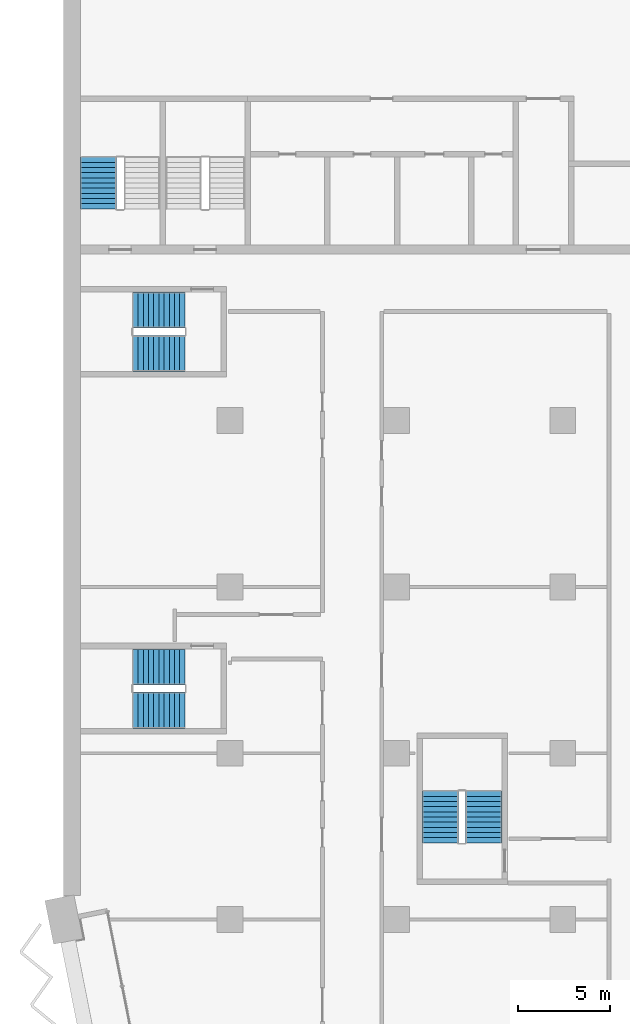
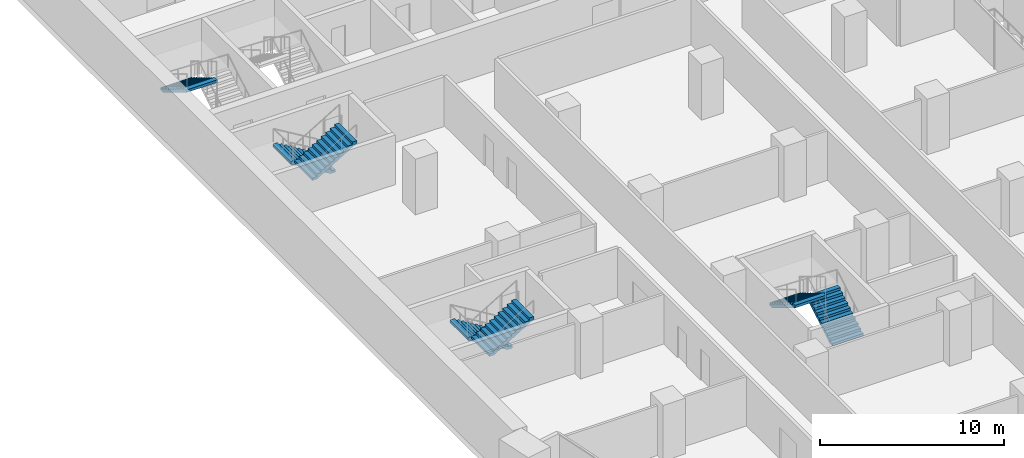
# One storey, part 20 of 29: 7 stair flights, 4 elements without a shape of their own.
"""IFC4 building model written with IfcOpenShell, lengths in metres."""

from ifc_helpers import new_model, si_unit, direction, frame, origin, place, context, subcontext, project, spatial, polyline, outline, extrude, material, type_object, element, aggregate, save


model = new_model("IFC4")

# Units and contexts
model_context = context("Model", 3, precision=1e-05, world=origin(), true_north=direction((0.0, 1.0)))
body_context = subcontext(model_context, "Body", "Model", "MODEL_VIEW")
ifc_project = project(units=[si_unit("LENGTHUNIT", "METRE"), si_unit("AREAUNIT", "SQUARE_METRE"), si_unit("VOLUMEUNIT", "CUBIC_METRE"), si_unit("PLANEANGLEUNIT", "RADIAN"), si_unit("MASSUNIT", "GRAM", prefix="KILO")], contexts=[model_context])

# Site, building, storey
site_placement = place(None, origin())
site = spatial("IfcSite", under=ifc_project, at=site_placement, CompositionType="ELEMENT")
building_placement = place(site_placement, origin())
building = spatial("IfcBuilding", under=site, at=building_placement, Name="Hunhe Ridgeline Campus", CompositionType="ELEMENT")
storey_placement = place(building_placement, frame((0.0, 0.0, 69.10009765625)))
storey = spatial("IfcBuildingStorey", under=building, at=storey_placement, Name="L16", CompositionType="ELEMENT", Elevation=69.10009765625)

# Stair, stair flight
ifc_material = material(Name="Concrete C40", Category="concrete")
stair_type = type_object("IfcStairType", Name="Reinforced concrete dog-leg stair 1950 Concrete C40", PredefinedType="HALF_TURN_STAIR", material=ifc_material)
stair_1_placement = place(storey_placement, origin())
stair_1 = element("IfcStair", 1, at=stair_1_placement, inside=storey, type_object=stair_type, Name="L16 S3", PredefinedType="HALF_TURN_STAIR")
stair_flight_type = type_object("IfcStairFlightType", Name="Reinforced concrete stair flight 1950 Concrete C40", PredefinedType="STRAIGHT", material=ifc_material)
stair_flight_1_placement = place(storey_placement, frame((1.875, 68.25, 1.849853515625), z_axis=(0.0, 0.0, 1.0), x_axis=(0.0, -1.0, 0.0)))
stair_flight_1 = element("IfcStairFlight", 2, at=stair_flight_1_placement, type_object=stair_flight_type, Name="ST3 flight 2", NumberOfRisers=11, NumberOfTreads=10, PredefinedType="STRAIGHT", RiserHeight=0.168181818, TreadLength=0.28, context=body_context, shape_type="SweptSolid", body=[
    extrude(outline(polyline([(0.0, 0.0), (0.0, 0.168212890625), (0.280029296875, 0.168212890625), (0.280029296875, 0.33642578125), (0.56005859375, 0.33642578125), (0.56005859375, 0.504638671875), (0.840087890625, 0.504638671875), (0.840087890625, 0.672607421875), (1.1201171875, 0.672607421875), (1.1201171875, 0.8408203125), (1.39990234375, 0.8408203125), (1.39990234375, 1.009033203125), (1.679931640625, 1.009033203125), (1.679931640625, 1.17724609375), (1.9599609375, 1.17724609375), (1.9599609375, 1.345458984375), (2.239990234375, 1.345458984375), (2.239990234375, 1.513671875), (2.52001953125, 1.513671875), (2.52001953125, 1.681884765625), (2.800048828125, 1.681884765625), (2.800048828125, 1.85009765625), (2.800048828125, 1.5068359375), (0.291015625, 0.0), (0.0, 0.0)])), frame((0.0, 0.97509765625, 0.0), z_axis=(0.0, -1.0, 0.0), x_axis=(1.0, 0.0, 0.0)), (0.0, 0.0, 1.0), 1.949951171875),
    extrude(outline(polyline([(0.030029296875, 0.030029296875), (0.030029296875, 0.13818359375), (0.31005859375, 0.13818359375), (0.31005859375, 0.306396484375), (0.590087890625, 0.306396484375), (0.590087890625, 0.474609375), (0.8701171875, 0.474609375), (0.8701171875, 0.642578125), (1.14990234375, 0.642578125), (1.14990234375, 0.810791015625), (1.429931640625, 0.810791015625), (1.429931640625, 0.97900390625), (1.7099609375, 0.97900390625), (1.7099609375, 1.147216796875), (1.989990234375, 1.147216796875), (1.989990234375, 1.3154296875), (2.27001953125, 1.3154296875), (2.27001953125, 1.483642578125), (2.550048828125, 1.483642578125), (2.550048828125, 1.65185546875), (2.77001953125, 1.65185546875), (2.77001953125, 1.52392578125), (0.28271484375, 0.030029296875), (0.030029296875, 0.030029296875)])), frame((0.0, -0.070068359375, 0.0), z_axis=(0.0, -1.0, 0.0), x_axis=(1.0, 0.0, 0.0)), (0.0, 0.0, 1.0), 0.019775390625),
    extrude(outline(polyline([(0.030029296875, 0.030029296875), (0.030029296875, 0.13818359375), (0.31005859375, 0.13818359375), (0.31005859375, 0.306396484375), (0.590087890625, 0.306396484375), (0.590087890625, 0.474609375), (0.8701171875, 0.474609375), (0.8701171875, 0.642578125), (1.14990234375, 0.642578125), (1.14990234375, 0.810791015625), (1.429931640625, 0.810791015625), (1.429931640625, 0.97900390625), (1.7099609375, 0.97900390625), (1.7099609375, 1.147216796875), (1.989990234375, 1.147216796875), (1.989990234375, 1.3154296875), (2.27001953125, 1.3154296875), (2.27001953125, 1.483642578125), (2.550048828125, 1.483642578125), (2.550048828125, 1.65185546875), (2.77001953125, 1.65185546875), (2.77001953125, 1.52392578125), (0.28271484375, 0.030029296875), (0.030029296875, 0.030029296875)])), frame((0.0, 0.010009765625, 0.0), z_axis=(0.0, -1.0, 0.0), x_axis=(1.0, 0.0, 0.0)), (0.0, 0.0, 1.0), 0.019775390625),
    extrude(outline(polyline([(0.030029296875, 0.030029296875), (0.030029296875, 0.13818359375), (0.31005859375, 0.13818359375), (0.31005859375, 0.306396484375), (0.590087890625, 0.306396484375), (0.590087890625, 0.474609375), (0.8701171875, 0.474609375), (0.8701171875, 0.642578125), (1.14990234375, 0.642578125), (1.14990234375, 0.810791015625), (1.429931640625, 0.810791015625), (1.429931640625, 0.97900390625), (1.7099609375, 0.97900390625), (1.7099609375, 1.147216796875), (1.989990234375, 1.147216796875), (1.989990234375, 1.3154296875), (2.27001953125, 1.3154296875), (2.27001953125, 1.483642578125), (2.550048828125, 1.483642578125), (2.550048828125, 1.65185546875), (2.77001953125, 1.65185546875), (2.77001953125, 1.52392578125), (0.28271484375, 0.030029296875), (0.030029296875, 0.030029296875)])), frame((0.0, 0.090087890625, 0.0), z_axis=(0.0, -1.0, 0.0), x_axis=(1.0, 0.0, 0.0)), (0.0, 0.0, 1.0), 0.019775390625),
])
aggregate(stair_1, [stair_flight_1])

# Stair, stair flights
stair_2_placement = place(storey_placement, origin())
stair_2 = element("IfcStair", 3, at=stair_2_placement, inside=storey, type_object=stair_type, Name="L16 W3", PredefinedType="HALF_TURN_STAIR")
stair_flight_2_placement = place(storey_placement, frame((22.72509765625, 31.14990234375, 0.0), z_axis=(0.0, 0.0, 1.0), x_axis=(0.0, 1.0, 0.0)))
stair_flight_2 = element("IfcStairFlight", 4, at=stair_flight_2_placement, type_object=stair_flight_type, Name="ST9 flight 1", NumberOfRisers=11, NumberOfTreads=10, PredefinedType="STRAIGHT", RiserHeight=0.168181818, TreadLength=0.28, context=body_context, shape_type="SweptSolid", body=[
    extrude(outline(polyline([(0.0, 0.0), (0.0, 0.168212890625), (0.280029296875, 0.168212890625), (0.280029296875, 0.33642578125), (0.56005859375, 0.33642578125), (0.56005859375, 0.504638671875), (0.840087890625, 0.504638671875), (0.840087890625, 0.672607421875), (1.1201171875, 0.672607421875), (1.1201171875, 0.8408203125), (1.39990234375, 0.8408203125), (1.39990234375, 1.009033203125), (1.679931640625, 1.009033203125), (1.679931640625, 1.17724609375), (1.9599609375, 1.17724609375), (1.9599609375, 1.345458984375), (2.239990234375, 1.345458984375), (2.239990234375, 1.513671875), (2.52001953125, 1.513671875), (2.52001953125, 1.681884765625), (2.800048828125, 1.681884765625), (2.800048828125, 1.85009765625), (2.800048828125, 1.5068359375), (0.291015625, 0.0), (0.0, 0.0)])), frame((0.0, 0.97509765625, 0.0), z_axis=(0.0, -1.0, 0.0), x_axis=(1.0, 0.0, 0.0)), (0.0, 0.0, 1.0), 1.949951171875),
    extrude(outline(polyline([(0.030029296875, 0.030029296875), (0.030029296875, 0.13818359375), (0.31005859375, 0.13818359375), (0.31005859375, 0.306396484375), (0.590087890625, 0.306396484375), (0.590087890625, 0.474609375), (0.8701171875, 0.474609375), (0.8701171875, 0.642578125), (1.14990234375, 0.642578125), (1.14990234375, 0.810791015625), (1.429931640625, 0.810791015625), (1.429931640625, 0.97900390625), (1.7099609375, 0.97900390625), (1.7099609375, 1.147216796875), (1.989990234375, 1.147216796875), (1.989990234375, 1.3154296875), (2.27001953125, 1.3154296875), (2.27001953125, 1.483642578125), (2.550048828125, 1.483642578125), (2.550048828125, 1.65185546875), (2.77001953125, 1.65185546875), (2.77001953125, 1.52392578125), (0.28271484375, 0.030029296875), (0.030029296875, 0.030029296875)])), frame((0.0, -0.070068359375, 0.0), z_axis=(0.0, -1.0, 0.0), x_axis=(1.0, 0.0, 0.0)), (0.0, 0.0, 1.0), 0.019775390625),
    extrude(outline(polyline([(0.030029296875, 0.030029296875), (0.030029296875, 0.13818359375), (0.31005859375, 0.13818359375), (0.31005859375, 0.306396484375), (0.590087890625, 0.306396484375), (0.590087890625, 0.474609375), (0.8701171875, 0.474609375), (0.8701171875, 0.642578125), (1.14990234375, 0.642578125), (1.14990234375, 0.810791015625), (1.429931640625, 0.810791015625), (1.429931640625, 0.97900390625), (1.7099609375, 0.97900390625), (1.7099609375, 1.147216796875), (1.989990234375, 1.147216796875), (1.989990234375, 1.3154296875), (2.27001953125, 1.3154296875), (2.27001953125, 1.483642578125), (2.550048828125, 1.483642578125), (2.550048828125, 1.65185546875), (2.77001953125, 1.65185546875), (2.77001953125, 1.52392578125), (0.28271484375, 0.030029296875), (0.030029296875, 0.030029296875)])), frame((0.0, 0.010009765625, 0.0), z_axis=(0.0, -1.0, 0.0), x_axis=(1.0, 0.0, 0.0)), (0.0, 0.0, 1.0), 0.019775390625),
    extrude(outline(polyline([(0.030029296875, 0.030029296875), (0.030029296875, 0.13818359375), (0.31005859375, 0.13818359375), (0.31005859375, 0.306396484375), (0.590087890625, 0.306396484375), (0.590087890625, 0.474609375), (0.8701171875, 0.474609375), (0.8701171875, 0.642578125), (1.14990234375, 0.642578125), (1.14990234375, 0.810791015625), (1.429931640625, 0.810791015625), (1.429931640625, 0.97900390625), (1.7099609375, 0.97900390625), (1.7099609375, 1.147216796875), (1.989990234375, 1.147216796875), (1.989990234375, 1.3154296875), (2.27001953125, 1.3154296875), (2.27001953125, 1.483642578125), (2.550048828125, 1.483642578125), (2.550048828125, 1.65185546875), (2.77001953125, 1.65185546875), (2.77001953125, 1.52392578125), (0.28271484375, 0.030029296875), (0.030029296875, 0.030029296875)])), frame((0.0, 0.090087890625, 0.0), z_axis=(0.0, -1.0, 0.0), x_axis=(1.0, 0.0, 0.0)), (0.0, 0.0, 1.0), 0.019775390625),
])
stair_flight_3_placement = place(storey_placement, frame((20.375, 33.949951171875, 1.849853515625), z_axis=(0.0, 0.0, 1.0), x_axis=(0.0, -1.0, 0.0)))
stair_flight_3 = element("IfcStairFlight", 5, at=stair_flight_3_placement, type_object=stair_flight_type, Name="ST9 flight 2", NumberOfRisers=11, NumberOfTreads=10, PredefinedType="STRAIGHT", RiserHeight=0.168181818, TreadLength=0.28, context=body_context, shape_type="SweptSolid", body=[
    extrude(outline(polyline([(0.0, 0.0), (0.0, 0.168212890625), (0.280029296875, 0.168212890625), (0.280029296875, 0.33642578125), (0.56005859375, 0.33642578125), (0.56005859375, 0.504638671875), (0.840087890625, 0.504638671875), (0.840087890625, 0.672607421875), (1.1201171875, 0.672607421875), (1.1201171875, 0.8408203125), (1.39990234375, 0.8408203125), (1.39990234375, 1.009033203125), (1.679931640625, 1.009033203125), (1.679931640625, 1.17724609375), (1.9599609375, 1.17724609375), (1.9599609375, 1.345458984375), (2.239990234375, 1.345458984375), (2.239990234375, 1.513671875), (2.52001953125, 1.513671875), (2.52001953125, 1.681884765625), (2.800048828125, 1.681884765625), (2.800048828125, 1.85009765625), (2.800048828125, 1.5068359375), (0.291015625, 0.0), (0.0, 0.0)])), frame((0.0, 0.97509765625, 0.0), z_axis=(0.0, -1.0, 0.0), x_axis=(1.0, 0.0, 0.0)), (0.0, 0.0, 1.0), 1.949951171875),
    extrude(outline(polyline([(0.030029296875, 0.030029296875), (0.030029296875, 0.13818359375), (0.31005859375, 0.13818359375), (0.31005859375, 0.306396484375), (0.590087890625, 0.306396484375), (0.590087890625, 0.474609375), (0.8701171875, 0.474609375), (0.8701171875, 0.642578125), (1.14990234375, 0.642578125), (1.14990234375, 0.810791015625), (1.429931640625, 0.810791015625), (1.429931640625, 0.97900390625), (1.7099609375, 0.97900390625), (1.7099609375, 1.147216796875), (1.989990234375, 1.147216796875), (1.989990234375, 1.3154296875), (2.27001953125, 1.3154296875), (2.27001953125, 1.483642578125), (2.550048828125, 1.483642578125), (2.550048828125, 1.65185546875), (2.77001953125, 1.65185546875), (2.77001953125, 1.52392578125), (0.28271484375, 0.030029296875), (0.030029296875, 0.030029296875)])), frame((0.0, -0.070068359375, 0.0), z_axis=(0.0, -1.0, 0.0), x_axis=(1.0, 0.0, 0.0)), (0.0, 0.0, 1.0), 0.019775390625),
    extrude(outline(polyline([(0.030029296875, 0.030029296875), (0.030029296875, 0.13818359375), (0.31005859375, 0.13818359375), (0.31005859375, 0.306396484375), (0.590087890625, 0.306396484375), (0.590087890625, 0.474609375), (0.8701171875, 0.474609375), (0.8701171875, 0.642578125), (1.14990234375, 0.642578125), (1.14990234375, 0.810791015625), (1.429931640625, 0.810791015625), (1.429931640625, 0.97900390625), (1.7099609375, 0.97900390625), (1.7099609375, 1.147216796875), (1.989990234375, 1.147216796875), (1.989990234375, 1.3154296875), (2.27001953125, 1.3154296875), (2.27001953125, 1.483642578125), (2.550048828125, 1.483642578125), (2.550048828125, 1.65185546875), (2.77001953125, 1.65185546875), (2.77001953125, 1.52392578125), (0.28271484375, 0.030029296875), (0.030029296875, 0.030029296875)])), frame((0.0, 0.010009765625, 0.0), z_axis=(0.0, -1.0, 0.0), x_axis=(1.0, 0.0, 0.0)), (0.0, 0.0, 1.0), 0.019775390625),
    extrude(outline(polyline([(0.030029296875, 0.030029296875), (0.030029296875, 0.13818359375), (0.31005859375, 0.13818359375), (0.31005859375, 0.306396484375), (0.590087890625, 0.306396484375), (0.590087890625, 0.474609375), (0.8701171875, 0.474609375), (0.8701171875, 0.642578125), (1.14990234375, 0.642578125), (1.14990234375, 0.810791015625), (1.429931640625, 0.810791015625), (1.429931640625, 0.97900390625), (1.7099609375, 0.97900390625), (1.7099609375, 1.147216796875), (1.989990234375, 1.147216796875), (1.989990234375, 1.3154296875), (2.27001953125, 1.3154296875), (2.27001953125, 1.483642578125), (2.550048828125, 1.483642578125), (2.550048828125, 1.65185546875), (2.77001953125, 1.65185546875), (2.77001953125, 1.52392578125), (0.28271484375, 0.030029296875), (0.030029296875, 0.030029296875)])), frame((0.0, 0.090087890625, 0.0), z_axis=(0.0, -1.0, 0.0), x_axis=(1.0, 0.0, 0.0)), (0.0, 0.0, 1.0), 0.019775390625),
])
aggregate(stair_2, [stair_flight_2, stair_flight_3])

stair_3_placement = place(storey_placement, origin())
stair_3 = element("IfcStair", 6, at=stair_3_placement, inside=storey, type_object=stair_type, Name="L16 W1", PredefinedType="HALF_TURN_STAIR")
stair_flight_4_placement = place(storey_placement, frame((6.550048828125, 40.675048828125, 0.0), z_axis=(0.0, 0.0, 1.0), x_axis=(-1.0, 0.0, 0.0)))
stair_flight_4 = element("IfcStairFlight", 7, at=stair_flight_4_placement, type_object=stair_flight_type, Name="ST11 flight 1", NumberOfRisers=11, NumberOfTreads=10, PredefinedType="STRAIGHT", RiserHeight=0.168181818, TreadLength=0.28, context=body_context, shape_type="SweptSolid", body=[
    extrude(outline(polyline([(0.0, 0.0), (0.0, 0.168212890625), (0.280029296875, 0.168212890625), (0.280029296875, 0.33642578125), (0.56005859375, 0.33642578125), (0.56005859375, 0.504638671875), (0.840087890625, 0.504638671875), (0.840087890625, 0.672607421875), (1.1201171875, 0.672607421875), (1.1201171875, 0.8408203125), (1.39990234375, 0.8408203125), (1.39990234375, 1.009033203125), (1.679931640625, 1.009033203125), (1.679931640625, 1.17724609375), (1.9599609375, 1.17724609375), (1.9599609375, 1.345458984375), (2.239990234375, 1.345458984375), (2.239990234375, 1.513671875), (2.52001953125, 1.513671875), (2.52001953125, 1.681884765625), (2.800048828125, 1.681884765625), (2.800048828125, 1.85009765625), (2.800048828125, 1.5068359375), (0.291015625, 0.0), (0.0, 0.0)])), frame((0.0, 0.97509765625, 0.0), z_axis=(0.0, -1.0, 0.0), x_axis=(1.0, 0.0, 0.0)), (0.0, 0.0, 1.0), 1.949951171875),
    extrude(outline(polyline([(0.030029296875, 0.030029296875), (0.030029296875, 0.13818359375), (0.31005859375, 0.13818359375), (0.31005859375, 0.306396484375), (0.590087890625, 0.306396484375), (0.590087890625, 0.474609375), (0.8701171875, 0.474609375), (0.8701171875, 0.642578125), (1.14990234375, 0.642578125), (1.14990234375, 0.810791015625), (1.429931640625, 0.810791015625), (1.429931640625, 0.97900390625), (1.7099609375, 0.97900390625), (1.7099609375, 1.147216796875), (1.989990234375, 1.147216796875), (1.989990234375, 1.3154296875), (2.27001953125, 1.3154296875), (2.27001953125, 1.483642578125), (2.550048828125, 1.483642578125), (2.550048828125, 1.65185546875), (2.77001953125, 1.65185546875), (2.77001953125, 1.52392578125), (0.28271484375, 0.030029296875), (0.030029296875, 0.030029296875)])), frame((0.0, -0.070068359375, 0.0), z_axis=(0.0, -1.0, 0.0), x_axis=(1.0, 0.0, 0.0)), (0.0, 0.0, 1.0), 0.019775390625),
    extrude(outline(polyline([(0.030029296875, 0.030029296875), (0.030029296875, 0.13818359375), (0.31005859375, 0.13818359375), (0.31005859375, 0.306396484375), (0.590087890625, 0.306396484375), (0.590087890625, 0.474609375), (0.8701171875, 0.474609375), (0.8701171875, 0.642578125), (1.14990234375, 0.642578125), (1.14990234375, 0.810791015625), (1.429931640625, 0.810791015625), (1.429931640625, 0.97900390625), (1.7099609375, 0.97900390625), (1.7099609375, 1.147216796875), (1.989990234375, 1.147216796875), (1.989990234375, 1.3154296875), (2.27001953125, 1.3154296875), (2.27001953125, 1.483642578125), (2.550048828125, 1.483642578125), (2.550048828125, 1.65185546875), (2.77001953125, 1.65185546875), (2.77001953125, 1.52392578125), (0.28271484375, 0.030029296875), (0.030029296875, 0.030029296875)])), frame((0.0, 0.010009765625, 0.0), z_axis=(0.0, -1.0, 0.0), x_axis=(1.0, 0.0, 0.0)), (0.0, 0.0, 1.0), 0.019775390625),
    extrude(outline(polyline([(0.030029296875, 0.030029296875), (0.030029296875, 0.13818359375), (0.31005859375, 0.13818359375), (0.31005859375, 0.306396484375), (0.590087890625, 0.306396484375), (0.590087890625, 0.474609375), (0.8701171875, 0.474609375), (0.8701171875, 0.642578125), (1.14990234375, 0.642578125), (1.14990234375, 0.810791015625), (1.429931640625, 0.810791015625), (1.429931640625, 0.97900390625), (1.7099609375, 0.97900390625), (1.7099609375, 1.147216796875), (1.989990234375, 1.147216796875), (1.989990234375, 1.3154296875), (2.27001953125, 1.3154296875), (2.27001953125, 1.483642578125), (2.550048828125, 1.483642578125), (2.550048828125, 1.65185546875), (2.77001953125, 1.65185546875), (2.77001953125, 1.52392578125), (0.28271484375, 0.030029296875), (0.030029296875, 0.030029296875)])), frame((0.0, 0.090087890625, 0.0), z_axis=(0.0, -1.0, 0.0), x_axis=(1.0, 0.0, 0.0)), (0.0, 0.0, 1.0), 0.019775390625),
])
stair_flight_5_placement = place(storey_placement, frame((3.75, 38.324951171875, 1.849853515625), z_axis=(0.0, 0.0, 1.0), x_axis=(1.0, 0.0, 0.0)))
stair_flight_5 = element("IfcStairFlight", 8, at=stair_flight_5_placement, type_object=stair_flight_type, Name="ST11 flight 2", NumberOfRisers=11, NumberOfTreads=10, PredefinedType="STRAIGHT", RiserHeight=0.168181818, TreadLength=0.28, context=body_context, shape_type="SweptSolid", body=[
    extrude(outline(polyline([(0.0, 0.0), (0.0, 0.168212890625), (0.280029296875, 0.168212890625), (0.280029296875, 0.33642578125), (0.56005859375, 0.33642578125), (0.56005859375, 0.504638671875), (0.840087890625, 0.504638671875), (0.840087890625, 0.672607421875), (1.1201171875, 0.672607421875), (1.1201171875, 0.8408203125), (1.39990234375, 0.8408203125), (1.39990234375, 1.009033203125), (1.679931640625, 1.009033203125), (1.679931640625, 1.17724609375), (1.9599609375, 1.17724609375), (1.9599609375, 1.345458984375), (2.239990234375, 1.345458984375), (2.239990234375, 1.513671875), (2.52001953125, 1.513671875), (2.52001953125, 1.681884765625), (2.800048828125, 1.681884765625), (2.800048828125, 1.85009765625), (2.800048828125, 1.5068359375), (0.291015625, 0.0), (0.0, 0.0)])), frame((0.0, 0.97509765625, 0.0), z_axis=(0.0, -1.0, 0.0), x_axis=(1.0, 0.0, 0.0)), (0.0, 0.0, 1.0), 1.949951171875),
    extrude(outline(polyline([(0.030029296875, 0.030029296875), (0.030029296875, 0.13818359375), (0.31005859375, 0.13818359375), (0.31005859375, 0.306396484375), (0.590087890625, 0.306396484375), (0.590087890625, 0.474609375), (0.8701171875, 0.474609375), (0.8701171875, 0.642578125), (1.14990234375, 0.642578125), (1.14990234375, 0.810791015625), (1.429931640625, 0.810791015625), (1.429931640625, 0.97900390625), (1.7099609375, 0.97900390625), (1.7099609375, 1.147216796875), (1.989990234375, 1.147216796875), (1.989990234375, 1.3154296875), (2.27001953125, 1.3154296875), (2.27001953125, 1.483642578125), (2.550048828125, 1.483642578125), (2.550048828125, 1.65185546875), (2.77001953125, 1.65185546875), (2.77001953125, 1.52392578125), (0.28271484375, 0.030029296875), (0.030029296875, 0.030029296875)])), frame((0.0, -0.070068359375, 0.0), z_axis=(0.0, -1.0, 0.0), x_axis=(1.0, 0.0, 0.0)), (0.0, 0.0, 1.0), 0.019775390625),
    extrude(outline(polyline([(0.030029296875, 0.030029296875), (0.030029296875, 0.13818359375), (0.31005859375, 0.13818359375), (0.31005859375, 0.306396484375), (0.590087890625, 0.306396484375), (0.590087890625, 0.474609375), (0.8701171875, 0.474609375), (0.8701171875, 0.642578125), (1.14990234375, 0.642578125), (1.14990234375, 0.810791015625), (1.429931640625, 0.810791015625), (1.429931640625, 0.97900390625), (1.7099609375, 0.97900390625), (1.7099609375, 1.147216796875), (1.989990234375, 1.147216796875), (1.989990234375, 1.3154296875), (2.27001953125, 1.3154296875), (2.27001953125, 1.483642578125), (2.550048828125, 1.483642578125), (2.550048828125, 1.65185546875), (2.77001953125, 1.65185546875), (2.77001953125, 1.52392578125), (0.28271484375, 0.030029296875), (0.030029296875, 0.030029296875)])), frame((0.0, 0.010009765625, 0.0), z_axis=(0.0, -1.0, 0.0), x_axis=(1.0, 0.0, 0.0)), (0.0, 0.0, 1.0), 0.019775390625),
    extrude(outline(polyline([(0.030029296875, 0.030029296875), (0.030029296875, 0.13818359375), (0.31005859375, 0.13818359375), (0.31005859375, 0.306396484375), (0.590087890625, 0.306396484375), (0.590087890625, 0.474609375), (0.8701171875, 0.474609375), (0.8701171875, 0.642578125), (1.14990234375, 0.642578125), (1.14990234375, 0.810791015625), (1.429931640625, 0.810791015625), (1.429931640625, 0.97900390625), (1.7099609375, 0.97900390625), (1.7099609375, 1.147216796875), (1.989990234375, 1.147216796875), (1.989990234375, 1.3154296875), (2.27001953125, 1.3154296875), (2.27001953125, 1.483642578125), (2.550048828125, 1.483642578125), (2.550048828125, 1.65185546875), (2.77001953125, 1.65185546875), (2.77001953125, 1.52392578125), (0.28271484375, 0.030029296875), (0.030029296875, 0.030029296875)])), frame((0.0, 0.090087890625, 0.0), z_axis=(0.0, -1.0, 0.0), x_axis=(1.0, 0.0, 0.0)), (0.0, 0.0, 1.0), 0.019775390625),
])
aggregate(stair_3, [stair_flight_4, stair_flight_5])

stair_4_placement = place(storey_placement, origin())
stair_4 = element("IfcStair", 9, at=stair_4_placement, inside=storey, type_object=stair_type, Name="L16 W2", PredefinedType="HALF_TURN_STAIR")
stair_flight_6_placement = place(storey_placement, frame((6.550048828125, 59.97509765625, 0.0), z_axis=(0.0, 0.0, 1.0), x_axis=(-1.0, 0.0, 0.0)))
stair_flight_6 = element("IfcStairFlight", 10, at=stair_flight_6_placement, type_object=stair_flight_type, Name="ST12 flight 1", NumberOfRisers=11, NumberOfTreads=10, PredefinedType="STRAIGHT", RiserHeight=0.168181818, TreadLength=0.28, context=body_context, shape_type="SweptSolid", body=[
    extrude(outline(polyline([(0.0, 0.0), (0.0, 0.168212890625), (0.280029296875, 0.168212890625), (0.280029296875, 0.33642578125), (0.56005859375, 0.33642578125), (0.56005859375, 0.504638671875), (0.840087890625, 0.504638671875), (0.840087890625, 0.672607421875), (1.1201171875, 0.672607421875), (1.1201171875, 0.8408203125), (1.39990234375, 0.8408203125), (1.39990234375, 1.009033203125), (1.679931640625, 1.009033203125), (1.679931640625, 1.17724609375), (1.9599609375, 1.17724609375), (1.9599609375, 1.345458984375), (2.239990234375, 1.345458984375), (2.239990234375, 1.513671875), (2.52001953125, 1.513671875), (2.52001953125, 1.681884765625), (2.800048828125, 1.681884765625), (2.800048828125, 1.85009765625), (2.800048828125, 1.5068359375), (0.291015625, 0.0), (0.0, 0.0)])), frame((0.0, 0.97509765625, 0.0), z_axis=(0.0, -1.0, 0.0), x_axis=(1.0, 0.0, 0.0)), (0.0, 0.0, 1.0), 1.949951171875),
    extrude(outline(polyline([(0.030029296875, 0.030029296875), (0.030029296875, 0.13818359375), (0.31005859375, 0.13818359375), (0.31005859375, 0.306396484375), (0.590087890625, 0.306396484375), (0.590087890625, 0.474609375), (0.8701171875, 0.474609375), (0.8701171875, 0.642578125), (1.14990234375, 0.642578125), (1.14990234375, 0.810791015625), (1.429931640625, 0.810791015625), (1.429931640625, 0.97900390625), (1.7099609375, 0.97900390625), (1.7099609375, 1.147216796875), (1.989990234375, 1.147216796875), (1.989990234375, 1.3154296875), (2.27001953125, 1.3154296875), (2.27001953125, 1.483642578125), (2.550048828125, 1.483642578125), (2.550048828125, 1.65185546875), (2.77001953125, 1.65185546875), (2.77001953125, 1.52392578125), (0.28271484375, 0.030029296875), (0.030029296875, 0.030029296875)])), frame((0.0, -0.070068359375, 0.0), z_axis=(0.0, -1.0, 0.0), x_axis=(1.0, 0.0, 0.0)), (0.0, 0.0, 1.0), 0.019775390625),
    extrude(outline(polyline([(0.030029296875, 0.030029296875), (0.030029296875, 0.13818359375), (0.31005859375, 0.13818359375), (0.31005859375, 0.306396484375), (0.590087890625, 0.306396484375), (0.590087890625, 0.474609375), (0.8701171875, 0.474609375), (0.8701171875, 0.642578125), (1.14990234375, 0.642578125), (1.14990234375, 0.810791015625), (1.429931640625, 0.810791015625), (1.429931640625, 0.97900390625), (1.7099609375, 0.97900390625), (1.7099609375, 1.147216796875), (1.989990234375, 1.147216796875), (1.989990234375, 1.3154296875), (2.27001953125, 1.3154296875), (2.27001953125, 1.483642578125), (2.550048828125, 1.483642578125), (2.550048828125, 1.65185546875), (2.77001953125, 1.65185546875), (2.77001953125, 1.52392578125), (0.28271484375, 0.030029296875), (0.030029296875, 0.030029296875)])), frame((0.0, 0.010009765625, 0.0), z_axis=(0.0, -1.0, 0.0), x_axis=(1.0, 0.0, 0.0)), (0.0, 0.0, 1.0), 0.019775390625),
    extrude(outline(polyline([(0.030029296875, 0.030029296875), (0.030029296875, 0.13818359375), (0.31005859375, 0.13818359375), (0.31005859375, 0.306396484375), (0.590087890625, 0.306396484375), (0.590087890625, 0.474609375), (0.8701171875, 0.474609375), (0.8701171875, 0.642578125), (1.14990234375, 0.642578125), (1.14990234375, 0.810791015625), (1.429931640625, 0.810791015625), (1.429931640625, 0.97900390625), (1.7099609375, 0.97900390625), (1.7099609375, 1.147216796875), (1.989990234375, 1.147216796875), (1.989990234375, 1.3154296875), (2.27001953125, 1.3154296875), (2.27001953125, 1.483642578125), (2.550048828125, 1.483642578125), (2.550048828125, 1.65185546875), (2.77001953125, 1.65185546875), (2.77001953125, 1.52392578125), (0.28271484375, 0.030029296875), (0.030029296875, 0.030029296875)])), frame((0.0, 0.090087890625, 0.0), z_axis=(0.0, -1.0, 0.0), x_axis=(1.0, 0.0, 0.0)), (0.0, 0.0, 1.0), 0.019775390625),
])
stair_flight_7_placement = place(storey_placement, frame((3.75, 57.625, 1.849853515625), z_axis=(0.0, 0.0, 1.0), x_axis=(1.0, 0.0, 0.0)))
stair_flight_7 = element("IfcStairFlight", 11, at=stair_flight_7_placement, type_object=stair_flight_type, Name="ST12 flight 2", NumberOfRisers=11, NumberOfTreads=10, PredefinedType="STRAIGHT", RiserHeight=0.168181818, TreadLength=0.28, context=body_context, shape_type="SweptSolid", body=[
    extrude(outline(polyline([(0.0, 0.0), (0.0, 0.168212890625), (0.280029296875, 0.168212890625), (0.280029296875, 0.33642578125), (0.56005859375, 0.33642578125), (0.56005859375, 0.504638671875), (0.840087890625, 0.504638671875), (0.840087890625, 0.672607421875), (1.1201171875, 0.672607421875), (1.1201171875, 0.8408203125), (1.39990234375, 0.8408203125), (1.39990234375, 1.009033203125), (1.679931640625, 1.009033203125), (1.679931640625, 1.17724609375), (1.9599609375, 1.17724609375), (1.9599609375, 1.345458984375), (2.239990234375, 1.345458984375), (2.239990234375, 1.513671875), (2.52001953125, 1.513671875), (2.52001953125, 1.681884765625), (2.800048828125, 1.681884765625), (2.800048828125, 1.85009765625), (2.800048828125, 1.5068359375), (0.291015625, 0.0), (0.0, 0.0)])), frame((0.0, 0.97509765625, 0.0), z_axis=(0.0, -1.0, 0.0), x_axis=(1.0, 0.0, 0.0)), (0.0, 0.0, 1.0), 1.949951171875),
    extrude(outline(polyline([(0.030029296875, 0.030029296875), (0.030029296875, 0.13818359375), (0.31005859375, 0.13818359375), (0.31005859375, 0.306396484375), (0.590087890625, 0.306396484375), (0.590087890625, 0.474609375), (0.8701171875, 0.474609375), (0.8701171875, 0.642578125), (1.14990234375, 0.642578125), (1.14990234375, 0.810791015625), (1.429931640625, 0.810791015625), (1.429931640625, 0.97900390625), (1.7099609375, 0.97900390625), (1.7099609375, 1.147216796875), (1.989990234375, 1.147216796875), (1.989990234375, 1.3154296875), (2.27001953125, 1.3154296875), (2.27001953125, 1.483642578125), (2.550048828125, 1.483642578125), (2.550048828125, 1.65185546875), (2.77001953125, 1.65185546875), (2.77001953125, 1.52392578125), (0.28271484375, 0.030029296875), (0.030029296875, 0.030029296875)])), frame((0.0, -0.070068359375, 0.0), z_axis=(0.0, -1.0, 0.0), x_axis=(1.0, 0.0, 0.0)), (0.0, 0.0, 1.0), 0.019775390625),
    extrude(outline(polyline([(0.030029296875, 0.030029296875), (0.030029296875, 0.13818359375), (0.31005859375, 0.13818359375), (0.31005859375, 0.306396484375), (0.590087890625, 0.306396484375), (0.590087890625, 0.474609375), (0.8701171875, 0.474609375), (0.8701171875, 0.642578125), (1.14990234375, 0.642578125), (1.14990234375, 0.810791015625), (1.429931640625, 0.810791015625), (1.429931640625, 0.97900390625), (1.7099609375, 0.97900390625), (1.7099609375, 1.147216796875), (1.989990234375, 1.147216796875), (1.989990234375, 1.3154296875), (2.27001953125, 1.3154296875), (2.27001953125, 1.483642578125), (2.550048828125, 1.483642578125), (2.550048828125, 1.65185546875), (2.77001953125, 1.65185546875), (2.77001953125, 1.52392578125), (0.28271484375, 0.030029296875), (0.030029296875, 0.030029296875)])), frame((0.0, 0.010009765625, 0.0), z_axis=(0.0, -1.0, 0.0), x_axis=(1.0, 0.0, 0.0)), (0.0, 0.0, 1.0), 0.019775390625),
    extrude(outline(polyline([(0.030029296875, 0.030029296875), (0.030029296875, 0.13818359375), (0.31005859375, 0.13818359375), (0.31005859375, 0.306396484375), (0.590087890625, 0.306396484375), (0.590087890625, 0.474609375), (0.8701171875, 0.474609375), (0.8701171875, 0.642578125), (1.14990234375, 0.642578125), (1.14990234375, 0.810791015625), (1.429931640625, 0.810791015625), (1.429931640625, 0.97900390625), (1.7099609375, 0.97900390625), (1.7099609375, 1.147216796875), (1.989990234375, 1.147216796875), (1.989990234375, 1.3154296875), (2.27001953125, 1.3154296875), (2.27001953125, 1.483642578125), (2.550048828125, 1.483642578125), (2.550048828125, 1.65185546875), (2.77001953125, 1.65185546875), (2.77001953125, 1.52392578125), (0.28271484375, 0.030029296875), (0.030029296875, 0.030029296875)])), frame((0.0, 0.090087890625, 0.0), z_axis=(0.0, -1.0, 0.0), x_axis=(1.0, 0.0, 0.0)), (0.0, 0.0, 1.0), 0.019775390625),
])
aggregate(stair_4, [stair_flight_6, stair_flight_7])

save(model, "model.ifc")
